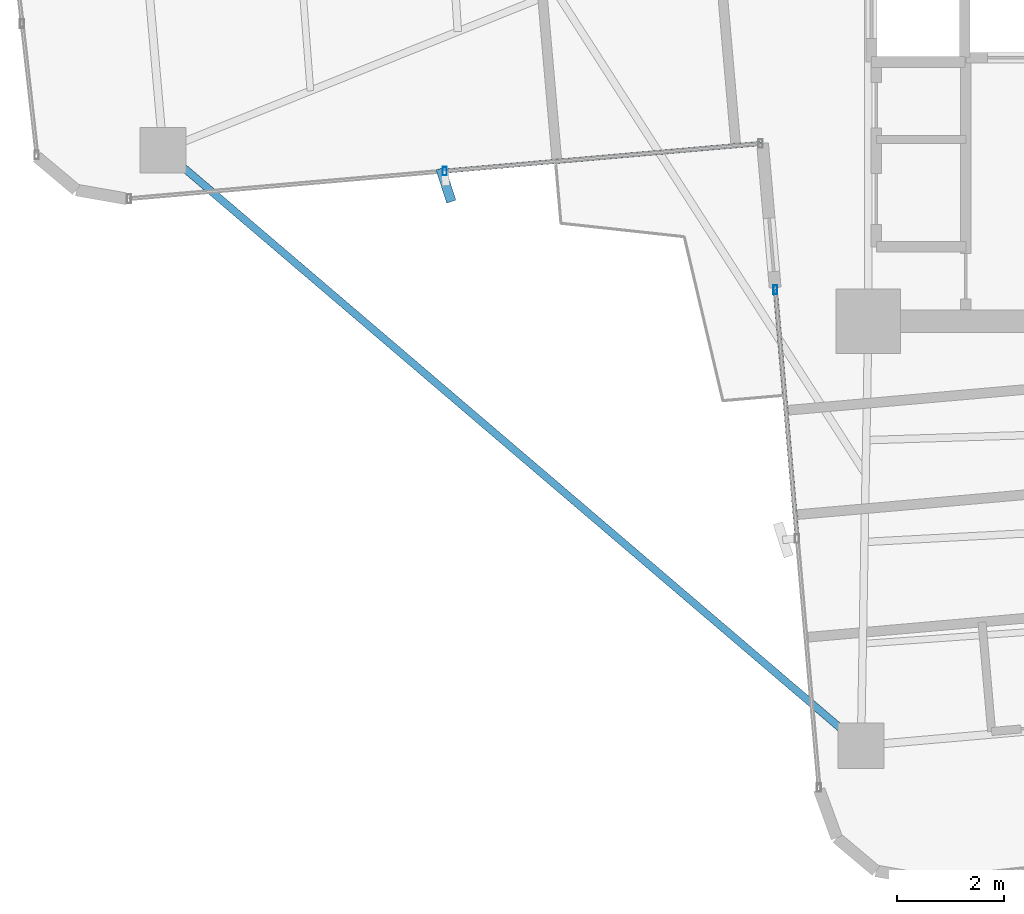
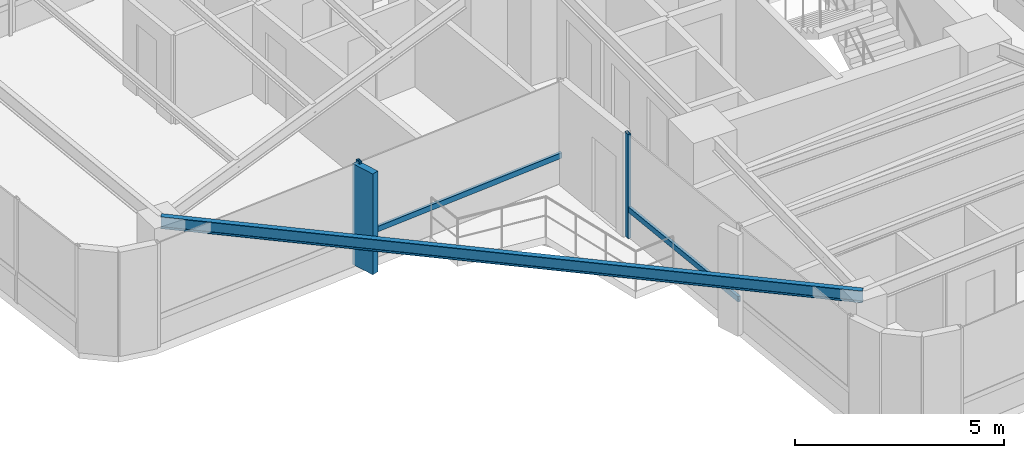
# One storey, part 4 of 24: 5 members, 1 beam, 2 elements without a shape of their own.
"""IFC4 building model written with IfcOpenShell, lengths in metres."""

from ifc_helpers import new_model, si_unit, direction, frame, origin, origin_2d, place, context, subcontext, project, spatial, rectangle, hollow_rectangle, i_section, extrude, source, transform, mapped, material, material_profile, profile_set, type_object, element, aggregate, save


model = new_model("IFC4")

# Units and contexts
model_context = context("Model", 3, precision=1e-05, world=origin(), true_north=direction((0.0, 1.0)))
body_context = subcontext(model_context, "Body", "Model", "MODEL_VIEW")
ifc_project = project(units=[si_unit("LENGTHUNIT", "METRE"), si_unit("AREAUNIT", "SQUARE_METRE"), si_unit("VOLUMEUNIT", "CUBIC_METRE"), si_unit("PLANEANGLEUNIT", "RADIAN"), si_unit("MASSUNIT", "GRAM", prefix="KILO")], contexts=[model_context])

# Site, building, storey
site_placement = place(None, origin())
site = spatial("IfcSite", under=ifc_project, at=site_placement, CompositionType="ELEMENT")
building_placement = place(site_placement, origin())
building = spatial("IfcBuilding", under=site, at=building_placement, Name="Sahyath Konkavel Grand Hotel", CompositionType="ELEMENT")
storey_placement = place(building_placement, frame((0.0, 0.0, 167.35009765625)))
storey = spatial("IfcBuildingStorey", under=building, at=storey_placement, Name="L46", CompositionType="ELEMENT", Elevation=167.35009765625)

# Beam
ifc_material_1 = material(Name="Steel E350", Category="steel")
ifc_material_profile_1 = material_profile(ifc_material_1, i_section(OverallWidth=0.139892578125, OverallDepth=0.35009765625, WebThickness=0.008056640625, FlangeThickness=0.01416015625, FilletRadius=0.013916015625, at=origin_2d()), Name="ISMB 350")
ifc_profile_set_1 = profile_set([ifc_material_profile_1], Name="Steel E350")
beam_type = type_object("IfcBeamType", Name="BM-ISMB350", PredefinedType="BEAM", material=ifc_profile_set_1)
shared_shape_1 = source(origin(), body_context, "Body", "SweptSolid", [
    extrude(i_section(OverallWidth=0.139892578125, OverallDepth=0.35009765625, WebThickness=0.008056640625, FlangeThickness=0.01416015625, FilletRadius=0.013916015625, at=origin_2d()), origin(), (0.0, 0.0, 1.0), 17.11279296875),
])
beam_placement = place(storey_placement, frame((-16.9541015625, -7.00439453125, 2.875), z_axis=(0.760711911164, -0.649089661151, 0.0), x_axis=(0.649089661151, 0.760711911164, 0.0)))
element("IfcBeam", 1, at=beam_placement, inside=storey, type_object=beam_type, Name="L46 Re-Entrant Tie Beam SW", PredefinedType="BEAM", context=body_context, shape_type="MappedRepresentation", body=[
    mapped(shared_shape_1, transform((0.0, 0.0, 0.0), scale=1.0)),
])

# Curtain wall, member
ifc_material_2 = material(Name="Anodised Bronze Aluminium & Low-E Glazing", Category="aluminium")
curtain_wall_type = type_object("IfcCurtainWallType", Name="CW-ZONE3", PredefinedType="NOTDEFINED", material=ifc_material_2)
curtain_wall_1_placement = place(storey_placement, origin())
curtain_wall_1 = element("IfcCurtainWall", 2, at=curtain_wall_1_placement, inside=storey, type_object=curtain_wall_type, Name="L46 Unitised Curtain Wall F23", PredefinedType="NOTDEFINED")
ifc_material_3 = material(Name="Anodised Bronze Aluminium", Category="aluminium")
ifc_material_profile_2 = material_profile(ifc_material_3, hollow_rectangle(XDim=0.080078125, YDim=0.159912109375, WallThickness=0.006103515625, at=origin_2d()), Name="RHS 160x80x6")
ifc_profile_set_2 = profile_set([ifc_material_profile_2], Name="Anodised Bronze Aluminium")
member_type_1 = type_object("IfcMemberType", Name="CW-MUL-160", PredefinedType="MULLION", material=ifc_profile_set_2)
shared_shape_2 = source(origin(), body_context, "Body", "SweptSolid", [
    extrude(hollow_rectangle(XDim=0.080078125, YDim=0.159912109375, WallThickness=0.006103515625, at=origin_2d()), origin(), (0.0, 0.0, 1.0), 3.0498046875),
])
member_1_placement = place(storey_placement, frame((-11.69970703125, -7.39794921875, 0.0), z_axis=(0.0, 0.0, 1.0), x_axis=(1.0, 0.0, 0.0)))
member_1 = element("IfcMember", 3, at=member_1_placement, type_object=member_type_1, Name="L46 Curtain Wall Mullion F23-1", PredefinedType="MULLION", context=body_context, shape_type="MappedRepresentation", body=[
    mapped(shared_shape_2, transform((0.0, 0.0, 0.0), scale=1.0)),
])

curtain_wall_2_placement = place(storey_placement, origin())
curtain_wall_2 = element("IfcCurtainWall", 4, at=curtain_wall_2_placement, inside=storey, type_object=curtain_wall_type, Name="L46 Unitised Curtain Wall F24", PredefinedType="NOTDEFINED")
member_2_placement = place(storey_placement, frame((-5.53369140625, -9.60888671875, 0.0), z_axis=(0.0, 0.0, 1.0), x_axis=(1.0, 0.0, 0.0)))
member_2 = element("IfcMember", 5, at=member_2_placement, type_object=member_type_1, Name="L46 Curtain Wall Mullion F24-0", PredefinedType="MULLION", context=body_context, shape_type="MappedRepresentation", body=[
    mapped(shared_shape_2, transform((0.0, 0.0, 0.0), scale=1.0)),
])

# Member
ifc_material_4 = material(Name="Warm Buff Sandstone Cladding on Concrete C50/60", Category="masonry")
ifc_material_profile_3 = material_profile(ifc_material_4, rectangle(XDim=0.179931640625, YDim=0.64990234375, at=origin_2d()), Name="FIN 180x650")
ifc_profile_set_3 = profile_set([ifc_material_profile_3], Name="Warm Buff Sandstone Cladding on Concrete C50/60")
member_type_2 = type_object("IfcMemberType", Name="FIN-SANDSTONE-650", PredefinedType="MULLION", material=ifc_profile_set_3)
shared_shape_3 = source(origin(), body_context, "Body", "SweptSolid", [
    extrude(rectangle(XDim=0.179931640625, YDim=0.64990234375, at=origin_2d()), origin(), (0.0, 0.0, 1.0), 2.9501953125),
])
member_3_placement = place(storey_placement, frame((-11.677001953125, -7.656982421875, 0.0498046875), z_axis=(0.0, 0.0, 1.0), x_axis=(0.952022626946, 0.306027642189, 0.0)))
member_3 = element("IfcMember", 6, at=member_3_placement, type_object=member_type_2, Name="L46 Sandstone Vertical Solar Fin FIN F23-1", PredefinedType="MULLION", context=body_context, shape_type="MappedRepresentation", body=[
    mapped(shared_shape_3, transform((0.0, 0.0, 0.0), scale=1.0)),
])

ifc_material_profile_4 = material_profile(ifc_material_3, hollow_rectangle(XDim=0.080078125, YDim=0.159912109375, WallThickness=0.006103515625, at=origin_2d()), Name="RHS 160x80x6")
ifc_profile_set_4 = profile_set([ifc_material_profile_4], Name="Anodised Bronze Aluminium")
member_type_3 = type_object("IfcMemberType", Name="CW-TRN-160", PredefinedType="USERDEFINED", material=ifc_profile_set_4)
shared_shape_4 = source(origin(), body_context, "Body", "SweptSolid", [
    extrude(hollow_rectangle(XDim=0.080078125, YDim=0.159912109375, WallThickness=0.006103515625, at=origin_2d()), origin(), (0.0, 0.0, 1.0), 5.909912109375),
])
member_4_placement = place(storey_placement, frame((-11.69970703125, -7.39794921875, 0.849853515625), z_axis=(0.996193941691, 0.087164388014, 0.0), x_axis=(-0.087164388014, 0.996193941691, 0.0)))
member_4 = element("IfcMember", 7, at=member_4_placement, type_object=member_type_3, Name="L46 Curtain Wall Transom F23-1-spandrel", ObjectType="TRANSOM", PredefinedType="USERDEFINED", context=body_context, shape_type="MappedRepresentation", body=[
    mapped(shared_shape_4, transform((0.0, 0.0, 0.0), scale=1.0)),
])

aggregate(curtain_wall_1, [member_1, member_3, member_4])

shared_shape_5 = source(origin(), body_context, "Body", "SweptSolid", [
    extrude(hollow_rectangle(XDim=0.080078125, YDim=0.159912109375, WallThickness=0.006103515625, at=origin_2d()), origin(), (0.0, 0.0, 1.0), 4.66015625),
])
member_5_placement = place(storey_placement, frame((-5.53369140625, -9.60888671875, 0.849853515625), z_axis=(0.087176698736, -0.996192864458, 0.0), x_axis=(0.996192864458, 0.087176698736, 0.0)))
member_5 = element("IfcMember", 8, at=member_5_placement, type_object=member_type_3, Name="L46 Curtain Wall Transom F24-0-spandrel", ObjectType="TRANSOM", PredefinedType="USERDEFINED", context=body_context, shape_type="MappedRepresentation", body=[
    mapped(shared_shape_5, transform((0.0, 0.0, 0.0), scale=1.0)),
])

aggregate(curtain_wall_2, [member_2, member_5])

save(model, "model.ifc")
